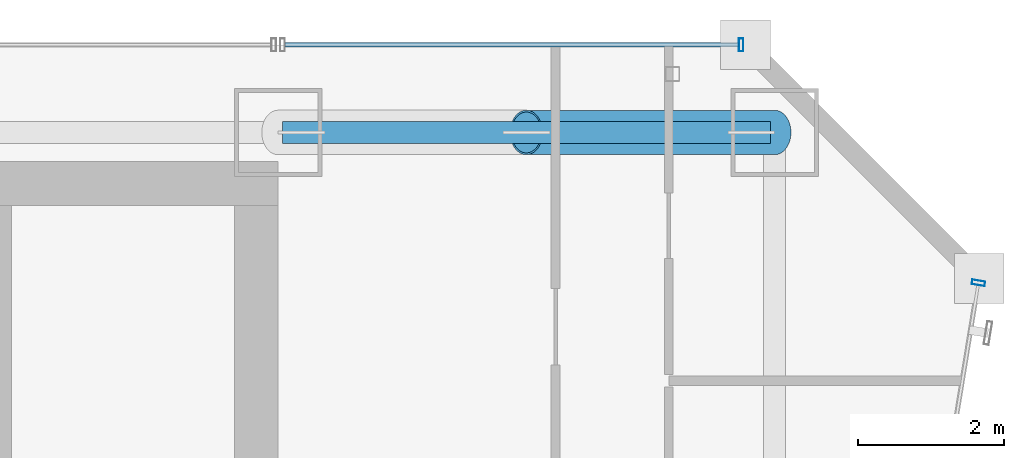
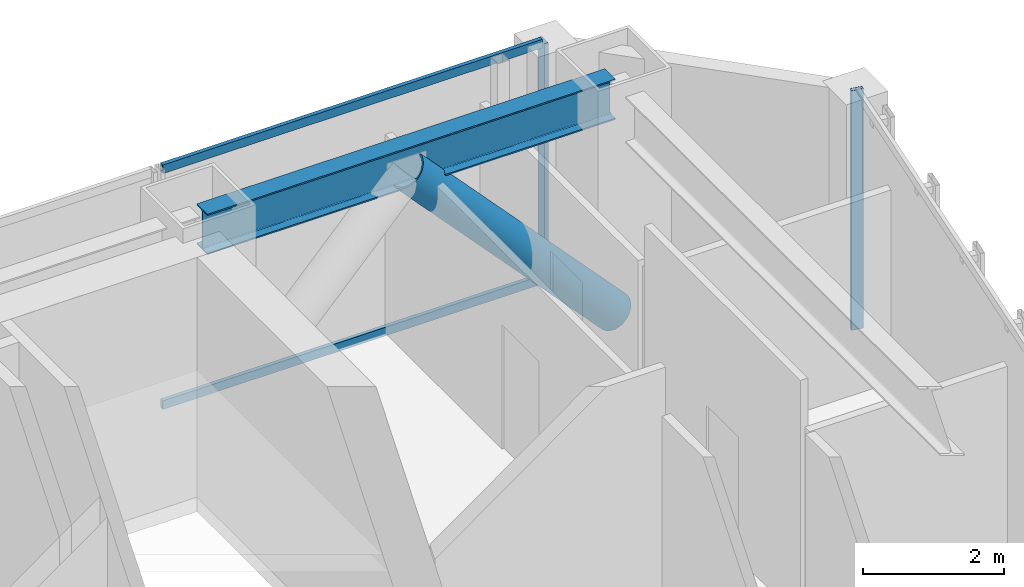
# One storey, part 33 of 47: 5 members, 1 beam, 2 elements without a shape of their own.
"""IFC4 building model written with IfcOpenShell, lengths in metres."""

from ifc_helpers import new_model, si_unit, direction, frame, origin, origin_2d, place, context, subcontext, project, spatial, hollow_rectangle, hollow_circle, i_section, extrude, material, material_profile, profile_set, type_object, element, aggregate, save


model = new_model("IFC4")

# Units and contexts
model_context = context("Model", 3, precision=1e-05, world=origin(), true_north=direction((0.0, 1.0)))
body_context = subcontext(model_context, "Body", "Model", "MODEL_VIEW")
ifc_project = project(units=[si_unit("LENGTHUNIT", "METRE"), si_unit("AREAUNIT", "SQUARE_METRE"), si_unit("VOLUMEUNIT", "CUBIC_METRE"), si_unit("PLANEANGLEUNIT", "RADIAN"), si_unit("MASSUNIT", "GRAM", prefix="KILO")], contexts=[model_context])

# Site, building, storey
site_placement = place(None, origin())
site = spatial("IfcSite", under=ifc_project, at=site_placement, CompositionType="ELEMENT")
building_placement = place(site_placement, origin())
building = spatial("IfcBuilding", under=site, at=building_placement, Name="Saevonmaru Cultural Tower", CompositionType="ELEMENT")
storey_placement = place(building_placement, frame((0.0, 0.0, 47.199951171875)))
storey = spatial("IfcBuildingStorey", under=building, at=storey_placement, Name="L09", CompositionType="ELEMENT", Elevation=47.199951171875)

# Beam
ifc_material_1 = material(Name="Steel SM355", Category="steel")
ifc_material_profile_1 = material_profile(ifc_material_1, i_section(OverallWidth=0.300048828125, OverallDepth=0.699951171875, WebThickness=0.012939453125, FlangeThickness=0.02392578125, FilletRadius=0.02587890625, at=origin_2d()), Name="H-700x300x13x24")
ifc_profile_set_1 = profile_set([ifc_material_profile_1], Name="Steel SM355")
beam_type = type_object("IfcBeamType", Name="BM-SP-H700", PredefinedType="SPANDREL", material=ifc_profile_set_1)
beam_placement = place(storey_placement, frame((46.4599609375, 54.800048828125, 3.800048828125), z_axis=(1.0, 0.0, 0.0), x_axis=(0.0, 1.0, 0.0)))
element("IfcBeam", 1, at=beam_placement, inside=storey, type_object=beam_type, Name="L09 North Spine Girder 5", PredefinedType="SPANDREL", context=body_context, shape_type="SweptSolid", body=[
    extrude(i_section(OverallWidth=0.300048828125, OverallDepth=0.699951171875, WebThickness=0.012939453125, FlangeThickness=0.02392578125, FilletRadius=0.02587890625, at=origin_2d()), origin(), (0.0, 0.0, 1.0), 6.679931640625),
])

# Member
ifc_material_2 = material(Name="Steel HSA600 (600 MPa)", Category="steel")
ifc_material_profile_2 = material_profile(ifc_material_2, hollow_circle(Radius=0.3046875, WallThickness=0.02490234375, at=origin_2d()), Name="CHS-609.6x25")
ifc_profile_set_2 = profile_set([ifc_material_profile_2], Name="Steel HSA600 (600 MPa)")
member_type_1 = type_object("IfcMemberType", Name="MB-PBR-CHS610", PredefinedType="BRACE", material=ifc_profile_set_2)
member_1_placement = place(storey_placement, frame((53.199951171875, 54.800048828125, 0.02001953125), z_axis=(-0.681578526789, 0.0, 0.731744977311), x_axis=(0.0, -1.0, 0.0)))
element("IfcMember", 2, at=member_1_placement, inside=storey, type_object=member_type_1, Name="L09 Perimeter Braced-Tube Diagonal EN2", PredefinedType="BRACE", context=body_context, shape_type="SweptSolid", body=[
    extrude(hollow_circle(Radius=0.3046875, WallThickness=0.02490234375, at=origin_2d()), origin(), (0.0, 0.0, 1.0), 4.98828125),
])

# Curtain wall, member
ifc_material_3 = material(Name="Satin Bronze Anodised Aluminium", Category="aluminium")
curtain_wall_type = type_object("IfcCurtainWallType", Name="CW-TYP-A", PredefinedType="NOTDEFINED", material=ifc_material_3)
curtain_wall_1_placement = place(storey_placement, origin())
curtain_wall_1 = element("IfcCurtainWall", 3, at=curtain_wall_1_placement, inside=storey, type_object=curtain_wall_type, Name="L09 Unitised Curtain Wall E8", PredefinedType="NOTDEFINED")
ifc_material_profile_3 = material_profile(ifc_material_3, hollow_rectangle(XDim=0.06494140625, YDim=0.179931640625, WallThickness=0.00390625, at=origin_2d()), Name="ALU-MULL-180x65x4")
ifc_profile_set_3 = profile_set([ifc_material_profile_3], Name="Satin Bronze Anodised Aluminium")
member_type_2 = type_object("IfcMemberType", Name="ML-CW-180x65", PredefinedType="MULLION", material=ifc_profile_set_3)
member_2_placement = place(storey_placement, frame((55.990234375, 52.74072265625, 0.0), z_axis=(0.0, 0.0, 1.0), x_axis=(0.161708868641, 0.986838508472, 0.0)))
member_2 = element("IfcMember", 4, at=member_2_placement, type_object=member_type_2, Name="CW-TW-L09-E8 mullion 5", PredefinedType="MULLION", context=body_context, shape_type="SweptSolid", body=[
    extrude(hollow_rectangle(XDim=0.06494140625, YDim=0.179931640625, WallThickness=0.00390625, at=origin_2d()), origin(), (0.0, 0.0, 1.0), 4.150146484375),
])
aggregate(curtain_wall_1, [member_2])

# Curtain wall, members
curtain_wall_2_placement = place(storey_placement, origin())
curtain_wall_2 = element("IfcCurtainWall", 5, at=curtain_wall_2_placement, inside=storey, type_object=curtain_wall_type, Name="L09 East Braced Bay Spandrel Curtain Wall E10A", PredefinedType="NOTDEFINED")
member_3_placement = place(storey_placement, frame((52.739990234375, 56.0, 0.0), z_axis=(0.0, 0.0, 1.0), x_axis=(-1.0, 0.0, 0.0)))
member_3 = element("IfcMember", 6, at=member_3_placement, type_object=member_type_2, Name="CW-TW-L09-E10A mullion 1", PredefinedType="MULLION", context=body_context, shape_type="SweptSolid", body=[
    extrude(hollow_rectangle(XDim=0.06494140625, YDim=0.179931640625, WallThickness=0.00390625, at=origin_2d()), origin(), (0.0, 0.0, 1.0), 4.150146484375),
])
ifc_material_profile_4 = material_profile(ifc_material_3, hollow_rectangle(XDim=0.06494140625, YDim=0.14990234375, WallThickness=0.00390625, at=origin_2d()), Name="ALU-TRAN-150x65x4")
ifc_profile_set_4 = profile_set([ifc_material_profile_4], Name="Satin Bronze Anodised Aluminium")
member_type_3 = type_object("IfcMemberType", Name="TR-CW-150x65", PredefinedType="USERDEFINED", material=ifc_profile_set_4)
member_4_placement = place(storey_placement, frame((52.70751953125, 56.0, 0.032470703125), z_axis=(-1.0, 0.0, 0.0), x_axis=(0.0, -1.0, 0.0)))
member_4 = element("IfcMember", 7, at=member_4_placement, type_object=member_type_3, Name="CW-TW-L09-E10A transom 1.1", ObjectType="TRANSOM", PredefinedType="USERDEFINED", context=body_context, shape_type="SweptSolid", body=[
    extrude(hollow_rectangle(XDim=0.06494140625, YDim=0.14990234375, WallThickness=0.00390625, at=origin_2d()), origin(), (0.0, 0.0, 1.0), 6.215087890625),
])
member_5_placement = place(storey_placement, frame((52.70751953125, 56.0, 4.117431640625), z_axis=(-1.0, 0.0, 0.0), x_axis=(0.0, -1.0, 0.0)))
member_5 = element("IfcMember", 8, at=member_5_placement, type_object=member_type_3, Name="CW-TW-L09-E10A transom 1.2", ObjectType="TRANSOM", PredefinedType="USERDEFINED", context=body_context, shape_type="SweptSolid", body=[
    extrude(hollow_rectangle(XDim=0.06494140625, YDim=0.14990234375, WallThickness=0.00390625, at=origin_2d()), origin(), (0.0, 0.0, 1.0), 6.215087890625),
])
aggregate(curtain_wall_2, [member_3, member_4, member_5])

save(model, "model.ifc")
